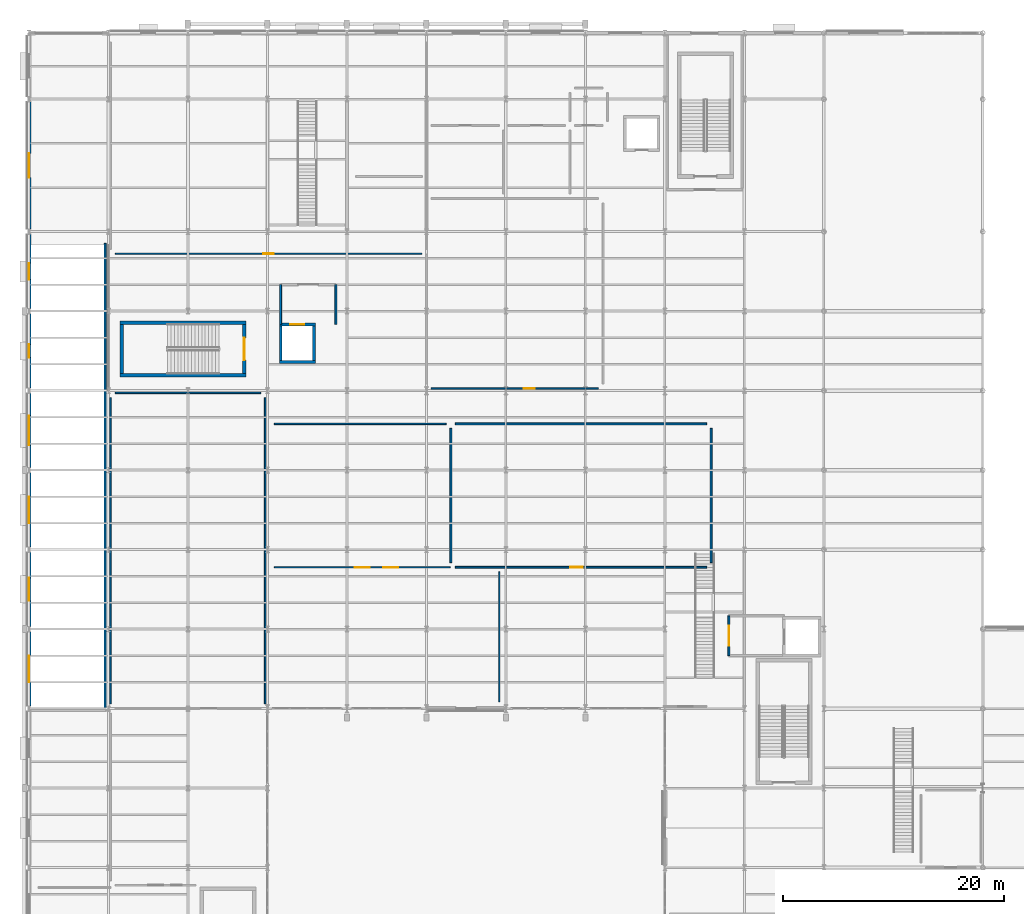
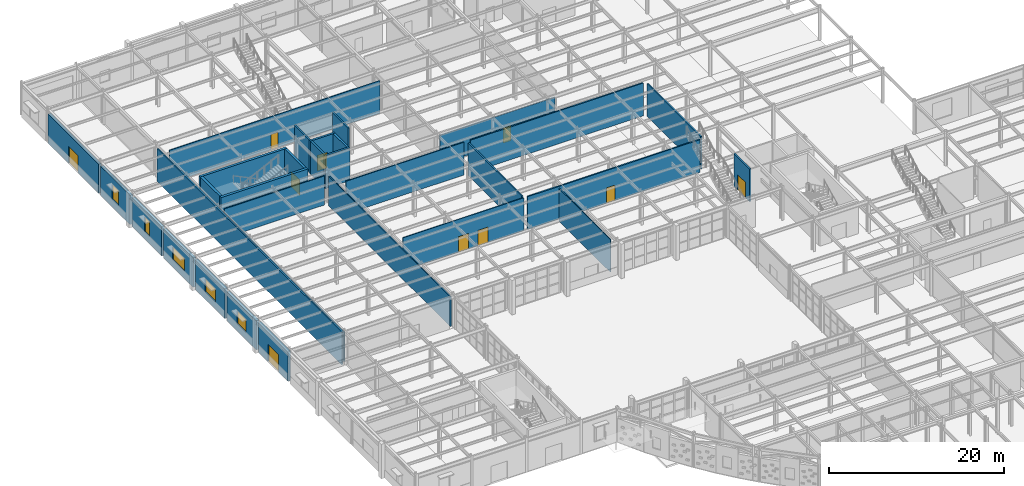
# One storey, part 60 of 83: 31 walls, 10 doors, 5 windows, 15 openings.
"""IFC4 building model written with IfcOpenShell, lengths in metres."""

from ifc_helpers import new_model, si_unit, direction, frame, frame_2d, origin, place, context, subcontext, project, spatial, rectangle, extrude, material, layer, layer_set, type_object, element, fill, save


model = new_model("IFC4")

# Units and contexts
model_context = context("Model", 3, precision=1e-05, world=origin(), true_north=direction((0.0, 1.0)))
body_context = subcontext(model_context, "Body", "Model", "MODEL_VIEW")
ifc_project = project(units=[si_unit("LENGTHUNIT", "METRE"), si_unit("AREAUNIT", "SQUARE_METRE"), si_unit("VOLUMEUNIT", "CUBIC_METRE"), si_unit("PLANEANGLEUNIT", "RADIAN"), si_unit("MASSUNIT", "GRAM", prefix="KILO")], contexts=[model_context])

# Site, building, storey
site_placement = place(None, origin())
site = spatial("IfcSite", under=ifc_project, at=site_placement, CompositionType="ELEMENT")
building_placement = place(site_placement, origin())
building = spatial("IfcBuilding", under=site, at=building_placement, Name="Solvadek Multi-Sports Hall", CompositionType="ELEMENT")
storey_placement = place(building_placement, origin())
storey = spatial("IfcBuildingStorey", under=building, at=storey_placement, Name="L00", CompositionType="ELEMENT", Elevation=0.0)

# Wall, opening, door
ifc_material_1 = material(Name="Fired Deccan terracotta brick masonry", Category="masonry")
ifc_layer_1 = layer(ifc_material_1, 0.35009765625, Name="Fired Deccan terracotta brick masonry")
ifc_layer_set_1 = layer_set([ifc_layer_1], Name="Fired Deccan terracotta brick masonry")
wall_type_1 = type_object("IfcWallType", Name="ENV-WAL-EXT350", PredefinedType="SOLIDWALL", material=ifc_layer_set_1)
wall_1_placement = place(storey_placement, frame((0.0, 49.428955078125, 0.0), z_axis=(0.0, 0.0, 1.0), x_axis=(0.0, 1.0, 0.0)))
wall_1 = element("IfcWall", 1, at=wall_1_placement, inside=storey, type_object=wall_type_1, Name="L00 Exterior Masonry Wall #141", PredefinedType="SOLIDWALL", context=body_context, shape_type="SweptSolid", body=[
    extrude(rectangle(XDim=6.741943359375, YDim=0.35009765625, at=frame_2d((3.37109375, 0.0))), origin(), (0.0, 0.0, 1.0), 4.1650390625),
])
opening_1_placement = place(wall_1_placement, frame((2.1708984375, 0.0, 0.0)))
opening_1 = element("IfcOpeningElement", 2, at=opening_1_placement, cuts=wall_1, Name="Opening D-EX02", PredefinedType="OPENING", context=body_context, shape_type="SweptSolid", body=[
    extrude(rectangle(XDim=2.39990234375, YDim=2.39990234375, at=frame_2d((1.199951171875, 1.199951171875))), frame((0.0, 0.18505859375, 0.0), z_axis=(0.0, -1.0, 0.0), x_axis=(1.0, 0.0, 0.0)), (0.0, 0.0, 1.0), 0.3701171875),
])
ifc_material_2 = material(Name="Anodised aluminium", Category="aluminium")
door_type_1 = type_object("IfcDoorType", Name="ENV-DOR-EX240X240", OperationType="DOUBLE_DOOR_SINGLE_SWING", PredefinedType="DOOR", material=ifc_material_2)
door_1_placement = place(opening_1_placement, origin())
door_1 = element("IfcDoor", 3, at=door_1_placement, inside=storey, type_object=door_type_1, Name="West Arcade Final Exit Door D-EX02", OperationType="DOUBLE_DOOR_SINGLE_SWING", OverallHeight=2.39990234375, OverallWidth=2.39990234375, PredefinedType="DOOR", context=body_context, shape_type="SweptSolid", body=[
    extrude(rectangle(XDim=2.39990234375, YDim=2.39990234375, at=frame_2d((1.199951171875, 1.199951171875))), frame((0.0, 0.02490234375, 0.0), z_axis=(0.0, -1.0, 0.0), x_axis=(1.0, 0.0, 0.0)), (0.0, 0.0, 1.0), 0.050048828125),
])
fill(opening_1, door_1)

# Wall, opening, window
wall_2_placement = place(storey_placement, frame((0.0, 56.62890625, 0.0), z_axis=(0.0, 0.0, 1.0), x_axis=(0.0, 1.0, 0.0)))
wall_2 = element("IfcWall", 4, at=wall_2_placement, inside=storey, type_object=wall_type_1, Name="L00 Exterior Masonry Wall #144", PredefinedType="SOLIDWALL", context=body_context, shape_type="SweptSolid", body=[
    extrude(rectangle(XDim=6.7421875, YDim=0.35009765625, at=frame_2d((3.37109375, 0.0))), origin(), (0.0, 0.0, 1.0), 4.06494140625),
])
opening_2_placement = place(wall_2_placement, frame((2.321044921875, 0.0, 1.0)))
opening_2 = element("IfcOpeningElement", 5, at=opening_2_placement, cuts=wall_2, Name="Opening WN-06", PredefinedType="OPENING", context=body_context, shape_type="SweptSolid", body=[
    extrude(rectangle(XDim=2.10009765625, YDim=1.800048828125, at=frame_2d((1.050048828125, 0.89990234375))), frame((0.0, 0.18505859375, 0.0), z_axis=(0.0, -1.0, 0.0), x_axis=(1.0, 0.0, 0.0)), (0.0, 0.0, 1.0), 0.3701171875),
])
ifc_material_3 = material(Name="Tempered laminated low-E glass", Category="glass")
window_type_1 = type_object("IfcWindowType", Name="ENV-WIN-WN-06", PartitioningType="SINGLE_PANEL", PredefinedType="WINDOW", material=ifc_material_3)
window_1_placement = place(opening_2_placement, origin())
window_1 = element("IfcWindow", 6, at=window_1_placement, inside=storey, type_object=window_type_1, Name="L00 Facade Window WN-06 #33", OverallHeight=1.800048828125, OverallWidth=2.10009765625, PartitioningType="SINGLE_PANEL", PredefinedType="WINDOW", context=body_context, shape_type="SweptSolid", body=[
    extrude(rectangle(XDim=2.10009765625, YDim=1.800048828125, at=frame_2d((1.050048828125, 0.89990234375))), frame((0.0, 0.030029296875, 0.0), z_axis=(0.0, -1.0, 0.0), x_axis=(1.0, 0.0, 0.0)), (0.0, 0.0, 1.0), 0.06005859375),
])
fill(opening_2, window_1)

wall_3_placement = place(storey_placement, frame((0.0, 63.8291015625, 0.0), z_axis=(0.0, 0.0, 1.0), x_axis=(0.0, 1.0, 0.0)))
wall_3 = element("IfcWall", 7, at=wall_3_placement, inside=storey, type_object=wall_type_1, Name="L00 Exterior Masonry Wall #147", PredefinedType="SOLIDWALL", context=body_context, shape_type="SweptSolid", body=[
    extrude(rectangle(XDim=6.741943359375, YDim=0.35009765625, at=frame_2d((3.37109375, 0.0))), origin(), (0.0, 0.0, 1.0), 4.1650390625),
])
opening_3_placement = place(wall_3_placement, frame((2.1708984375, 0.0, 1.0)))
opening_3 = element("IfcOpeningElement", 8, at=opening_3_placement, cuts=wall_3, Name="Opening WN-07", PredefinedType="OPENING", context=body_context, shape_type="SweptSolid", body=[
    extrude(rectangle(XDim=2.39990234375, YDim=1.800048828125, at=frame_2d((1.199951171875, 0.89990234375))), frame((0.0, 0.18505859375, 0.0), z_axis=(0.0, -1.0, 0.0), x_axis=(1.0, 0.0, 0.0)), (0.0, 0.0, 1.0), 0.3701171875),
])
window_type_2 = type_object("IfcWindowType", Name="ENV-WIN-WN-07", PartitioningType="SINGLE_PANEL", PredefinedType="WINDOW", material=ifc_material_3)
window_2_placement = place(opening_3_placement, origin())
window_2 = element("IfcWindow", 9, at=window_2_placement, inside=storey, type_object=window_type_2, Name="L00 Facade Window WN-07 #36", OverallHeight=1.800048828125, OverallWidth=2.39990234375, PartitioningType="SINGLE_PANEL", PredefinedType="WINDOW", context=body_context, shape_type="SweptSolid", body=[
    extrude(rectangle(XDim=2.39990234375, YDim=1.800048828125, at=frame_2d((1.199951171875, 0.89990234375))), frame((0.0, 0.030029296875, 0.0), z_axis=(0.0, -1.0, 0.0), x_axis=(1.0, 0.0, 0.0)), (0.0, 0.0, 1.0), 0.06005859375),
])
fill(opening_3, window_2)

wall_4_placement = place(storey_placement, frame((0.0, 71.029052734375, 0.0), z_axis=(0.0, 0.0, 1.0), x_axis=(0.0, 1.0, 0.0)))
wall_4 = element("IfcWall", 10, at=wall_4_placement, inside=storey, type_object=wall_type_1, Name="L00 Exterior Masonry Wall #150", PredefinedType="SOLIDWALL", context=body_context, shape_type="SweptSolid", body=[
    extrude(rectangle(XDim=6.741943359375, YDim=0.35009765625, at=frame_2d((3.37109375, 0.0))), origin(), (0.0, 0.0, 1.0), 4.06494140625),
])
opening_4_placement = place(wall_4_placement, frame((2.02099609375, 0.0, 1.0)))
opening_4 = element("IfcOpeningElement", 11, at=opening_4_placement, cuts=wall_4, Name="Opening WN-08", PredefinedType="OPENING", context=body_context, shape_type="SweptSolid", body=[
    extrude(rectangle(XDim=2.699951171875, YDim=1.800048828125, at=frame_2d((1.35009765625, 0.89990234375))), frame((0.0, 0.18505859375, 0.0), z_axis=(0.0, -1.0, 0.0), x_axis=(1.0, 0.0, 0.0)), (0.0, 0.0, 1.0), 0.3701171875),
])
window_type_3 = type_object("IfcWindowType", Name="ENV-WIN-WN-08", PartitioningType="SINGLE_PANEL", PredefinedType="WINDOW", material=ifc_material_3)
window_3_placement = place(opening_4_placement, origin())
window_3 = element("IfcWindow", 12, at=window_3_placement, inside=storey, type_object=window_type_3, Name="L00 Facade Window WN-08 #39", OverallHeight=1.800048828125, OverallWidth=2.699951171875, PartitioningType="SINGLE_PANEL", PredefinedType="WINDOW", context=body_context, shape_type="SweptSolid", body=[
    extrude(rectangle(XDim=2.699951171875, YDim=1.800048828125, at=frame_2d((1.35009765625, 0.89990234375))), frame((0.0, 0.030029296875, 0.0), z_axis=(0.0, -1.0, 0.0), x_axis=(1.0, 0.0, 0.0)), (0.0, 0.0, 1.0), 0.06005859375),
])
fill(opening_4, window_3)

wall_5_placement = place(storey_placement, frame((0.0, 78.22900390625, 0.0), z_axis=(0.0, 0.0, 1.0), x_axis=(0.0, 1.0, 0.0)))
wall_5 = element("IfcWall", 13, at=wall_5_placement, inside=storey, type_object=wall_type_1, Name="L00 Exterior Masonry Wall #153", PredefinedType="SOLIDWALL", context=body_context, shape_type="SweptSolid", body=[
    extrude(rectangle(XDim=6.741943359375, YDim=0.35009765625, at=frame_2d((3.37109375, 0.0))), origin(), (0.0, 0.0, 1.0), 4.06494140625),
])
opening_5_placement = place(wall_5_placement, frame((2.77099609375, 0.0, 1.0)))
opening_5 = element("IfcOpeningElement", 14, at=opening_5_placement, cuts=wall_5, Name="Opening WN-09", PredefinedType="OPENING", context=body_context, shape_type="SweptSolid", body=[
    extrude(rectangle(XDim=1.199951171875, YDim=2.10009765625, at=frame_2d((0.60009765625, 1.050048828125))), frame((0.0, 0.18505859375, 0.0), z_axis=(0.0, -1.0, 0.0), x_axis=(1.0, 0.0, 0.0)), (0.0, 0.0, 1.0), 0.3701171875),
])
window_type_4 = type_object("IfcWindowType", Name="ENV-WIN-WN-09", PartitioningType="SINGLE_PANEL", PredefinedType="WINDOW", material=ifc_material_3)
window_4_placement = place(opening_5_placement, origin())
window_4 = element("IfcWindow", 15, at=window_4_placement, inside=storey, type_object=window_type_4, Name="L00 Facade Window WN-09 #42", OverallHeight=2.10009765625, OverallWidth=1.199951171875, PartitioningType="SINGLE_PANEL", PredefinedType="WINDOW", context=body_context, shape_type="SweptSolid", body=[
    extrude(rectangle(XDim=1.199951171875, YDim=2.10009765625, at=frame_2d((0.60009765625, 1.050048828125))), frame((0.0, 0.030029296875, 0.0), z_axis=(0.0, -1.0, 0.0), x_axis=(1.0, 0.0, 0.0)), (0.0, 0.0, 1.0), 0.06005859375),
])
fill(opening_5, window_4)

wall_6_placement = place(storey_placement, frame((0.0, 85.428955078125, 0.0), z_axis=(0.0, 0.0, 1.0), x_axis=(0.0, 1.0, 0.0)))
wall_6 = element("IfcWall", 16, at=wall_6_placement, inside=storey, type_object=wall_type_1, Name="L00 Exterior Masonry Wall #156", PredefinedType="SOLIDWALL", context=body_context, shape_type="SweptSolid", body=[
    extrude(rectangle(XDim=6.741943359375, YDim=0.35009765625, at=frame_2d((3.37109375, 0.0))), origin(), (0.0, 0.0, 1.0), 4.06494140625),
])
opening_6_placement = place(wall_6_placement, frame((2.62109375, 0.0, 1.0)))
opening_6 = element("IfcOpeningElement", 17, at=opening_6_placement, cuts=wall_6, Name="Opening WN-10", PredefinedType="OPENING", context=body_context, shape_type="SweptSolid", body=[
    extrude(rectangle(XDim=1.5, YDim=2.10009765625, at=frame_2d((0.75, 1.050048828125))), frame((0.0, 0.18505859375, 0.0), z_axis=(0.0, -1.0, 0.0), x_axis=(1.0, 0.0, 0.0)), (0.0, 0.0, 1.0), 0.3701171875),
])
window_type_5 = type_object("IfcWindowType", Name="ENV-WIN-WN-10", PartitioningType="SINGLE_PANEL", PredefinedType="WINDOW", material=ifc_material_3)
window_5_placement = place(opening_6_placement, origin())
window_5 = element("IfcWindow", 18, at=window_5_placement, inside=storey, type_object=window_type_5, Name="L00 Facade Window WN-10 #45", OverallHeight=2.10009765625, OverallWidth=1.5, PartitioningType="SINGLE_PANEL", PredefinedType="WINDOW", context=body_context, shape_type="SweptSolid", body=[
    extrude(rectangle(XDim=1.5, YDim=2.10009765625, at=frame_2d((0.75, 1.050048828125))), frame((0.0, 0.030029296875, 0.0), z_axis=(0.0, -1.0, 0.0), x_axis=(1.0, 0.0, 0.0)), (0.0, 0.0, 1.0), 0.06005859375),
])
fill(opening_6, window_5)

# Wall, opening, door
wall_7_placement = place(storey_placement, frame((0.0, 92.62890625, 0.0), z_axis=(0.0, 0.0, 1.0), x_axis=(0.0, 1.0, 0.0)))
wall_7 = element("IfcWall", 19, at=wall_7_placement, inside=storey, type_object=wall_type_1, Name="L00 Exterior Masonry Wall #159", PredefinedType="SOLIDWALL", context=body_context, shape_type="SweptSolid", body=[
    extrude(rectangle(XDim=11.5419921875, YDim=0.35009765625, at=frame_2d((5.77099609375, 0.0))), origin(), (0.0, 0.0, 1.0), 4.06494140625),
])
opening_7_placement = place(wall_7_placement, frame((4.6708984375, 0.0, 0.0)))
opening_7 = element("IfcOpeningElement", 20, at=opening_7_placement, cuts=wall_7, Name="Opening D-EX03", PredefinedType="OPENING", context=body_context, shape_type="SweptSolid", body=[
    extrude(rectangle(XDim=2.199951171875, YDim=2.39990234375, at=frame_2d((1.10009765625, 1.199951171875))), frame((0.0, 0.18505859375, 0.0), z_axis=(0.0, -1.0, 0.0), x_axis=(1.0, 0.0, 0.0)), (0.0, 0.0, 1.0), 0.3701171875),
])
door_type_2 = type_object("IfcDoorType", Name="ENV-DOR-EX220X240", OperationType="DOUBLE_DOOR_SINGLE_SWING", PredefinedType="DOOR", material=ifc_material_2)
door_2_placement = place(opening_7_placement, origin())
door_2 = element("IfcDoor", 21, at=door_2_placement, inside=storey, type_object=door_type_2, Name="Stair ST-02 Final Exit Door D-EX03", OperationType="DOUBLE_DOOR_SINGLE_SWING", OverallHeight=2.39990234375, OverallWidth=2.199951171875, PredefinedType="DOOR", context=body_context, shape_type="SweptSolid", body=[
    extrude(rectangle(XDim=2.199951171875, YDim=2.39990234375, at=frame_2d((1.10009765625, 1.199951171875))), frame((0.0, 0.02490234375, 0.0), z_axis=(0.0, -1.0, 0.0), x_axis=(1.0, 0.0, 0.0)), (0.0, 0.0, 1.0), 0.050048828125),
])
fill(opening_7, door_2)

# Wall, openings, doors
ifc_material_4 = material(Name="Autoclaved aerated concrete blockwork", Category="masonry")
ifc_layer_2 = layer(ifc_material_4, 0.10498046875, Name="Autoclaved aerated concrete blockwork")
ifc_layer_set_2 = layer_set([ifc_layer_2], Name="Autoclaved aerated concrete blockwork")
wall_type_2 = type_object("IfcWallType", Name="INT-WAL-PRT105", PredefinedType="PARTITIONING", material=ifc_layer_set_2)
wall_8_placement = place(storey_placement, frame((22.219970703125, 62.0, 0.0), z_axis=(0.0, 0.0, 1.0), x_axis=(1.0, 0.0, 0.0)))
wall_8 = element("IfcWall", 22, at=wall_8_placement, inside=storey, type_object=wall_type_2, Name="L00 Partition Wall L00-16 N", PredefinedType="PARTITIONING", context=body_context, shape_type="SweptSolid", body=[
    extrude(rectangle(XDim=15.92529296875, YDim=0.10498046875, at=frame_2d((7.962646484375, 0.0))), origin(), (0.0, 0.0, 1.0), 4.56494140625),
])
opening_8_placement = place(wall_8_placement, frame((7.28759765625, 0.0, 0.0)))
opening_8 = element("IfcOpeningElement", 23, at=opening_8_placement, cuts=wall_8, Name="Opening D-03", PredefinedType="OPENING", context=body_context, shape_type="SweptSolid", body=[
    extrude(rectangle(XDim=1.35009765625, YDim=2.14990234375, at=frame_2d((0.675048828125, 1.074951171875))), frame((0.0, 0.0625, 0.0), z_axis=(0.0, -1.0, 0.0), x_axis=(1.0, 0.0, 0.0)), (0.0, 0.0, 1.0), 0.125),
])
opening_9_placement = place(wall_8_placement, frame((9.8876953125, 0.0, 0.0)))
opening_9 = element("IfcOpeningElement", 24, at=opening_9_placement, cuts=wall_8, Name="Opening D-03", PredefinedType="OPENING", context=body_context, shape_type="SweptSolid", body=[
    extrude(rectangle(XDim=1.35009765625, YDim=2.14990234375, at=frame_2d((0.675048828125, 1.074951171875))), frame((0.0, 0.0625, 0.0), z_axis=(0.0, -1.0, 0.0), x_axis=(1.0, 0.0, 0.0)), (0.0, 0.0, 1.0), 0.125),
])
ifc_material_5 = material(Name="Teak hardwood timber", Category="wood")
door_type_3 = type_object("IfcDoorType", Name="INT-DOR-CHG135X215", OperationType="NOTDEFINED", PredefinedType="DOOR", material=ifc_material_5)
door_3_placement = place(opening_8_placement, frame((1.35009765625, 0.0, 0.0), z_axis=(0.0, 0.0, 1.0), x_axis=(-1.0, 0.0, 0.0)))
door_3 = element("IfcDoor", 25, at=door_3_placement, inside=storey, type_object=door_type_3, Name="L00 L00-16 Door #31", OperationType="SINGLE_SWING_RIGHT", OverallHeight=2.14990234375, OverallWidth=1.35009765625, PredefinedType="DOOR", context=body_context, shape_type="SweptSolid", body=[
    extrude(rectangle(XDim=1.35009765625, YDim=2.14990234375, at=frame_2d((0.675048828125, 1.074951171875))), frame((0.0, 0.02490234375, 0.0), z_axis=(0.0, -1.0, 0.0), x_axis=(1.0, 0.0, 0.0)), (0.0, 0.0, 1.0), 0.050048828125),
])
fill(opening_8, door_3)
door_4_placement = place(opening_9_placement, origin())
door_4 = element("IfcDoor", 26, at=door_4_placement, inside=storey, type_object=door_type_3, Name="L00 L00-18 Door #33", OperationType="SINGLE_SWING_RIGHT", OverallHeight=2.14990234375, OverallWidth=1.35009765625, PredefinedType="DOOR", context=body_context, shape_type="SweptSolid", body=[
    extrude(rectangle(XDim=1.35009765625, YDim=2.14990234375, at=frame_2d((0.675048828125, 1.074951171875))), frame((0.0, 0.02490234375, 0.0), z_axis=(0.0, -1.0, 0.0), x_axis=(1.0, 0.0, 0.0)), (0.0, 0.0, 1.0), 0.050048828125),
])
fill(opening_9, door_4)

# Wall
wall_9_placement = place(storey_placement, frame((42.60009765625, 49.820068359375, 0.0), z_axis=(0.0, 0.0, 1.0), x_axis=(0.0, 1.0, 0.0)))
element("IfcWall", 27, at=wall_9_placement, inside=storey, type_object=wall_type_2, Name="L00 Partition Wall L00-16 E", PredefinedType="PARTITIONING", context=body_context, shape_type="SweptSolid", body=[
    extrude(rectangle(XDim=11.760009765625, YDim=0.10498046875, at=frame_2d((5.8798828125, 0.0))), origin(), (0.0, 0.0, 1.0), 4.56494140625),
])

# Wall, opening, door
wall_10_placement = place(storey_placement, frame((7.820068359375, 90.39990234375, 0.0), z_axis=(0.0, 0.0, 1.0), x_axis=(1.0, 0.0, 0.0)))
wall_10 = element("IfcWall", 28, at=wall_10_placement, inside=storey, type_object=wall_type_2, Name="L00 Partition Wall L00-23 S", PredefinedType="PARTITIONING", context=body_context, shape_type="SweptSolid", body=[
    extrude(rectangle(XDim=27.760009765625, YDim=0.10498046875, at=frame_2d((13.8798828125, 0.0))), origin(), (0.0, 0.0, 1.0), 4.56494140625),
])
opening_10_placement = place(wall_10_placement, frame((13.405029296875, 0.0, 0.0)))
opening_10 = element("IfcOpeningElement", 29, at=opening_10_placement, cuts=wall_10, Name="Opening D-02", PredefinedType="OPENING", context=body_context, shape_type="SweptSolid", body=[
    extrude(rectangle(XDim=0.949951171875, YDim=2.10009765625, at=frame_2d((0.47509765625, 1.050048828125))), frame((0.0, 0.0625, 0.0), z_axis=(0.0, -1.0, 0.0), x_axis=(1.0, 0.0, 0.0)), (0.0, 0.0, 1.0), 0.125),
])
door_type_4 = type_object("IfcDoorType", Name="INT-DOR-RM095X210", OperationType="NOTDEFINED", PredefinedType="DOOR", material=ifc_material_5)
door_5_placement = place(opening_10_placement, origin())
door_5 = element("IfcDoor", 30, at=door_5_placement, inside=storey, type_object=door_type_4, Name="L00 L00-23 Door #37", OperationType="SINGLE_SWING_RIGHT", OverallHeight=2.10009765625, OverallWidth=0.949951171875, PredefinedType="DOOR", context=body_context, shape_type="SweptSolid", body=[
    extrude(rectangle(XDim=0.949951171875, YDim=2.10009765625, at=frame_2d((0.47509765625, 1.050048828125))), frame((0.0, 0.02490234375, 0.0), z_axis=(0.0, -1.0, 0.0), x_axis=(1.0, 0.0, 0.0)), (0.0, 0.0, 1.0), 0.050048828125),
])
fill(opening_10, door_5)

# Walls
ifc_layer_3 = layer(ifc_material_4, 0.135009765625, Name="Autoclaved aerated concrete blockwork")
ifc_layer_set_3 = layer_set([ifc_layer_3], Name="Autoclaved aerated concrete blockwork")
wall_type_3 = type_object("IfcWallType", Name="INT-WAL-PRT135", PredefinedType="PARTITIONING", material=ifc_layer_set_3)
wall_11_placement = place(storey_placement, frame((7.820068359375, 77.800048828125, 0.0), z_axis=(0.0, 0.0, 1.0), x_axis=(1.0, 0.0, 0.0)))
element("IfcWall", 31, at=wall_11_placement, inside=storey, type_object=wall_type_3, Name="L00 Partition Wall L00-15 N", PredefinedType="PARTITIONING", context=body_context, shape_type="SweptSolid", body=[
    extrude(rectangle(XDim=13.159912109375, YDim=0.135009765625, at=frame_2d((6.580078125, 0.0))), origin(), (0.0, 0.0, 1.0), 4.06005859375),
])
for number, where, z_axis, x_axis, name in (
    (32, (7.39990234375, 49.625, 0.0), (0.0, 0.0, 1.0), (0.0, 1.0, 0.0), "L00 Partition Wall L00-15 W"),
    (33, (21.39990234375, 49.625, 0.0), (0.0, 0.0, 1.0), (0.0, 1.0, 0.0), "L00 Partition Wall L00-15 E"),
):
    element("IfcWall", number, at=place(storey_placement, frame(where, z_axis=z_axis, x_axis=x_axis)), inside=storey, type_object=wall_type_3, Name=name, PredefinedType="PARTITIONING", context=body_context, shape_type="SweptSolid", body=[
        extrude(rectangle(XDim=27.7548828125, YDim=0.135009765625, at=frame_2d((13.87744140625, 0.0))), origin(), (0.0, 0.0, 1.0), 4.110107421875),
    ])
wall_12_placement = place(storey_placement, frame((22.219970703125, 75.0, 0.0), z_axis=(0.0, 0.0, 1.0), x_axis=(1.0, 0.0, 0.0)))
element("IfcWall", 34, at=wall_12_placement, inside=storey, type_object=wall_type_3, Name="L00 Partition Wall L00-18 N", PredefinedType="PARTITIONING", context=body_context, shape_type="SweptSolid", body=[
    extrude(rectangle(XDim=15.56005859375, YDim=0.135009765625, at=frame_2d((7.780029296875, 0.0))), origin(), (0.0, 0.0, 1.0), 4.56494140625),
])

# Wall, opening, door
wall_13_placement = place(storey_placement, frame((36.419921875, 78.199951171875, 0.0), z_axis=(0.0, 0.0, 1.0), x_axis=(1.0, 0.0, 0.0)))
wall_13 = element("IfcWall", 35, at=wall_13_placement, inside=storey, type_object=wall_type_3, Name="L00 Partition Wall L00-24 S", PredefinedType="PARTITIONING", context=body_context, shape_type="SweptSolid", body=[
    extrude(rectangle(XDim=15.16015625, YDim=0.135009765625, at=frame_2d((7.580078125, 0.0))), origin(), (0.0, 0.0, 1.0), 4.06005859375),
])
opening_11_placement = place(wall_13_placement, frame((8.3798828125, 0.0, 0.0)))
opening_11 = element("IfcOpeningElement", 36, at=opening_11_placement, cuts=wall_13, Name="Opening D-01", PredefinedType="OPENING", context=body_context, shape_type="SweptSolid", body=[
    extrude(rectangle(XDim=1.0, YDim=2.10009765625, at=frame_2d((0.5, 1.050048828125))), frame((0.0, 0.077392578125, 0.0), z_axis=(0.0, -1.0, 0.0), x_axis=(1.0, 0.0, 0.0)), (0.0, 0.0, 1.0), 0.155029296875),
])
door_type_5 = type_object("IfcDoorType", Name="INT-DOR-RM100X210", OperationType="NOTDEFINED", PredefinedType="DOOR", material=ifc_material_5)
door_6_placement = place(opening_11_placement, origin())
door_6 = element("IfcDoor", 37, at=door_6_placement, inside=storey, type_object=door_type_5, Name="L00 L00-24 Door #38", OperationType="SINGLE_SWING_LEFT", OverallHeight=2.10009765625, OverallWidth=1.0, PredefinedType="DOOR", context=body_context, shape_type="SweptSolid", body=[
    extrude(rectangle(XDim=1.0, YDim=2.10009765625, at=frame_2d((0.5, 1.050048828125))), frame((0.0, 0.02490234375, 0.0), z_axis=(0.0, -1.0, 0.0), x_axis=(1.0, 0.0, 0.0)), (0.0, 0.0, 1.0), 0.050048828125),
])
fill(opening_11, door_6)

# Walls
ifc_layer_4 = layer(ifc_material_4, 0.179931640625, Name="Autoclaved aerated concrete blockwork")
ifc_layer_set_4 = layer_set([ifc_layer_4], Name="Autoclaved aerated concrete blockwork")
wall_type_4 = type_object("IfcWallType", Name="INT-WAL-PRT180", PredefinedType="PARTITIONING", material=ifc_layer_set_4)
for number, where, z_axis, x_axis, name in (
    (38, (22.800048828125, 84.0, 0.0), (0.0, 0.0, 1.0), (0.0, 1.0, 0.0), "L00 Firefighting Lobby LF-01 Rated Wall W"),
    (39, (27.800048828125, 84.0, 0.0), (0.0, 0.0, 1.0), (0.0, 1.0, 0.0), "L00 Firefighting Lobby LF-01 Rated Wall E"),
):
    element("IfcWall", number, at=place(storey_placement, frame(where, z_axis=z_axis, x_axis=x_axis)), inside=storey, type_object=wall_type_4, Name=name, PredefinedType="PARTITIONING", context=body_context, shape_type="SweptSolid", body=[
        extrude(rectangle(XDim=3.60009765625, YDim=0.179931640625, at=frame_2d((1.800048828125, 0.0))), origin(), (0.0, 0.0, 1.0), 4.56494140625),
    ])

# Wall, opening, door
wall_14_placement = place(storey_placement, frame((63.39990234375, 54.0, 0.0), z_axis=(0.0, 0.0, 1.0), x_axis=(0.0, 1.0, 0.0)))
wall_14 = element("IfcWall", 40, at=wall_14_placement, inside=storey, type_object=wall_type_4, Name="L00 Firefighting Lobby LF-02 Rated Wall W", PredefinedType="PARTITIONING", context=body_context, shape_type="SweptSolid", body=[
    extrude(rectangle(XDim=3.60009765625, YDim=0.179931640625, at=frame_2d((1.800048828125, 0.0))), origin(), (0.0, 0.0, 1.0), 4.56494140625),
])
opening_12_placement = place(wall_14_placement, frame((0.89990234375, 0.0, 0.0)))
opening_12 = element("IfcOpeningElement", 41, at=opening_12_placement, cuts=wall_14, Name="Opening FD120B", PredefinedType="OPENING", context=body_context, shape_type="SweptSolid", body=[
    extrude(rectangle(XDim=1.800048828125, YDim=2.14990234375, at=frame_2d((0.89990234375, 1.074951171875))), frame((0.0, 0.099853515625, 0.0), z_axis=(0.0, -1.0, 0.0), x_axis=(1.0, 0.0, 0.0)), (0.0, 0.0, 1.0), 0.199951171875),
])
ifc_material_6 = material(Name="Steel E250 (250 MPa)", Category="steel")
door_type_6 = type_object("IfcDoorType", Name="INT-DOR-FD180X215", OperationType="DOUBLE_DOOR_SINGLE_SWING", PredefinedType="DOOR", material=ifc_material_6)
door_7_placement = place(opening_12_placement, origin())
door_7 = element("IfcDoor", 42, at=door_7_placement, inside=storey, type_object=door_type_6, Name="L00 Firefighting Lobby LF-02 Fire Door", OperationType="DOUBLE_DOOR_SINGLE_SWING", OverallHeight=2.14990234375, OverallWidth=1.800048828125, PredefinedType="DOOR", context=body_context, shape_type="SweptSolid", body=[
    extrude(rectangle(XDim=1.800048828125, YDim=2.14990234375, at=frame_2d((0.89990234375, 1.074951171875))), frame((0.0, 0.02490234375, 0.0), z_axis=(0.0, -1.0, 0.0), x_axis=(1.0, 0.0, 0.0)), (0.0, 0.0, 1.0), 0.050048828125),
])
fill(opening_12, door_7)

# Wall
wall_15_placement = place(storey_placement, frame((6.889892578125, 49.199951171875, 0.0), z_axis=(0.0, 0.0, 1.0), x_axis=(0.0, 1.0, 0.0)))
element("IfcWall", 43, at=wall_15_placement, inside=storey, type_object=wall_type_4, Name="L00 Vehicle Ramp VR-01 Enclosure Wall E", PredefinedType="PARTITIONING", context=body_context, shape_type="SweptSolid", body=[
    extrude(rectangle(XDim=42.150146484375, YDim=0.179931640625, at=frame_2d((21.0751953125, 0.0))), origin(), (0.0, 0.0, 1.0), 4.56494140625),
])

# Wall, opening, door
wall_16_placement = place(storey_placement, frame((38.625, 62.00439453125, 0.0), z_axis=(0.0, 0.0, 1.0), x_axis=(1.0, 0.0, 0.0)))
wall_16 = element("IfcWall", 44, at=wall_16_placement, inside=storey, type_object=wall_type_4, Name="L00 Partition Wall L00-19 S", PredefinedType="PARTITIONING", context=body_context, shape_type="SweptSolid", body=[
    extrude(rectangle(XDim=22.75, YDim=0.179931640625, at=frame_2d((11.375, 0.0))), origin(), (0.0, 0.0, 1.0), 4.56494140625),
])
opening_13_placement = place(wall_16_placement, frame((10.425048828125, 0.0, 0.0)))
opening_13 = element("IfcOpeningElement", 45, at=opening_13_placement, cuts=wall_16, Name="Opening FD60", PredefinedType="OPENING", context=body_context, shape_type="SweptSolid", body=[
    extrude(rectangle(XDim=1.10009765625, YDim=2.14990234375, at=frame_2d((0.550048828125, 1.074951171875))), frame((0.0, 0.099853515625, 0.0), z_axis=(0.0, -1.0, 0.0), x_axis=(1.0, 0.0, 0.0)), (0.0, 0.0, 1.0), 0.199951171875),
])
door_type_7 = type_object("IfcDoorType", Name="INT-DOR-FD110X215", OperationType="NOTDEFINED", PredefinedType="DOOR", material=ifc_material_6)
door_8_placement = place(opening_13_placement, origin())
door_8 = element("IfcDoor", 46, at=door_8_placement, inside=storey, type_object=door_type_7, Name="L00 L00-19 Door #34", OperationType="SINGLE_SWING_LEFT", OverallHeight=2.14990234375, OverallWidth=1.10009765625, PredefinedType="DOOR", context=body_context, shape_type="SweptSolid", body=[
    extrude(rectangle(XDim=1.10009765625, YDim=2.14990234375, at=frame_2d((0.550048828125, 1.074951171875))), frame((0.0, 0.02490234375, 0.0), z_axis=(0.0, -1.0, 0.0), x_axis=(1.0, 0.0, 0.0)), (0.0, 0.0, 1.0), 0.050048828125),
])
fill(opening_13, door_8)

# Walls
wall_17_placement = place(storey_placement, frame((38.625, 75.0, 0.0), z_axis=(0.0, 0.0, 1.0), x_axis=(1.0, 0.0, 0.0)))
element("IfcWall", 47, at=wall_17_placement, inside=storey, type_object=wall_type_4, Name="L00 Partition Wall L00-19 N", PredefinedType="PARTITIONING", context=body_context, shape_type="SweptSolid", body=[
    extrude(rectangle(XDim=22.75, YDim=0.179931640625, at=frame_2d((11.375, 0.0))), origin(), (0.0, 0.0, 1.0), 4.56494140625),
])
for number, where, z_axis, x_axis, name in (
    (48, (38.205078125, 62.42431640625, 0.0), (0.0, 0.0, 1.0), (0.0, 1.0, 0.0), "L00 Partition Wall L00-19 W"),
    (49, (61.794921875, 62.42431640625, 0.0), (0.0, 0.0, 1.0), (0.0, 1.0, 0.0), "L00 Partition Wall L00-19 E"),
):
    element("IfcWall", number, at=place(storey_placement, frame(where, z_axis=z_axis, x_axis=x_axis)), inside=storey, type_object=wall_type_4, Name=name, PredefinedType="PARTITIONING", context=body_context, shape_type="SweptSolid", body=[
        extrude(rectangle(XDim=12.15576171875, YDim=0.179931640625, at=frame_2d((6.077880859375, 0.0))), origin(), (0.0, 0.0, 1.0), 4.56494140625),
    ])
ifc_material_7 = material(Name="Concrete M40", Category="concrete")
ifc_layer_5 = layer(ifc_material_7, 0.260009765625, Name="Concrete M40")
ifc_layer_set_5 = layer_set([ifc_layer_5], Name="Concrete M40")
wall_type_5 = type_object("IfcWallType", Name="INT-WAL-SHR260", PredefinedType="SHEAR", material=ifc_layer_set_5)
wall_18_placement = place(storey_placement, frame((22.669921875, 80.60009765625, 0.0), z_axis=(0.0, 0.0, 1.0), x_axis=(1.0, 0.0, 0.0)))
element("IfcWall", 50, at=wall_18_placement, inside=storey, type_object=wall_type_5, Name="Lift LF-01 Shaft Shear Wall L00 south", PredefinedType="SHEAR", context=body_context, shape_type="SweptSolid", body=[
    extrude(rectangle(XDim=3.260009765625, YDim=0.260009765625, at=frame_2d((1.6298828125, 0.0))), origin(), (0.0, 0.0, 1.0), 4.580078125),
])

# Wall, opening, door
wall_19_placement = place(storey_placement, frame((22.669921875, 84.0, 0.0), z_axis=(0.0, 0.0, 1.0), x_axis=(1.0, 0.0, 0.0)))
wall_19 = element("IfcWall", 51, at=wall_19_placement, inside=storey, type_object=wall_type_5, Name="Lift LF-01 Shaft Shear Wall L00 north", PredefinedType="SHEAR", context=body_context, shape_type="SweptSolid", body=[
    extrude(rectangle(XDim=3.260009765625, YDim=0.260009765625, at=frame_2d((1.6298828125, 0.0))), origin(), (0.0, 0.0, 1.0), 4.580078125),
])
opening_14_placement = place(wall_19_placement, frame((0.97998046875, 0.0, 0.0)))
opening_14 = element("IfcOpeningElement", 52, at=opening_14_placement, cuts=wall_19, Name="Opening LD-02", PredefinedType="OPENING", context=body_context, shape_type="SweptSolid", body=[
    extrude(rectangle(XDim=1.300048828125, YDim=2.199951171875, at=frame_2d((0.64990234375, 1.10009765625))), frame((0.0, 0.139892578125, 0.0), z_axis=(0.0, -1.0, 0.0), x_axis=(1.0, 0.0, 0.0)), (0.0, 0.0, 1.0), 0.280029296875),
])
door_type_8 = type_object("IfcDoorType", Name="INT-DOR-LD130X220", OperationType="DOUBLE_DOOR_SLIDING", PredefinedType="DOOR", material=ifc_material_2)
door_9_placement = place(opening_14_placement, origin())
door_9 = element("IfcDoor", 53, at=door_9_placement, inside=storey, type_object=door_type_8, Name="L00 Lift LF-01 Sliding Landing Door LD-02", OperationType="DOUBLE_DOOR_SLIDING", OverallHeight=2.199951171875, OverallWidth=1.300048828125, PredefinedType="DOOR", context=body_context, shape_type="SweptSolid", body=[
    extrude(rectangle(XDim=1.300048828125, YDim=2.199951171875, at=frame_2d((0.64990234375, 1.10009765625))), frame((0.0, 0.02490234375, 0.0), z_axis=(0.0, -1.0, 0.0), x_axis=(1.0, 0.0, 0.0)), (0.0, 0.0, 1.0), 0.050048828125),
])
fill(opening_14, door_9)

# Walls
for number, where, z_axis, x_axis, name in (
    (54, (22.800048828125, 80.72998046875, 0.0), (0.0, 0.0, 1.0), (0.0, 1.0, 0.0), "Lift LF-01 Shaft Shear Wall L00 west"),
    (55, (25.800048828125, 80.72998046875, 0.0), (0.0, 0.0, 1.0), (0.0, 1.0, 0.0), "Lift LF-01 Shaft Shear Wall L00 east"),
):
    element("IfcWall", number, at=place(storey_placement, frame(where, z_axis=z_axis, x_axis=x_axis)), inside=storey, type_object=wall_type_5, Name=name, PredefinedType="SHEAR", context=body_context, shape_type="SweptSolid", body=[
        extrude(rectangle(XDim=3.14013671875, YDim=0.260009765625, at=frame_2d((1.570068359375, 0.0))), origin(), (0.0, 0.0, 1.0), 4.580078125),
    ])
ifc_layer_6 = layer(ifc_material_7, 0.320068359375, Name="Concrete M40")
ifc_layer_set_6 = layer_set([ifc_layer_6], Name="Concrete M40")
wall_type_6 = type_object("IfcWallType", Name="INT-WAL-SHR320", PredefinedType="SHEAR", material=ifc_layer_set_6)
for number, where, z_axis, x_axis, name in (
    (56, (8.239990234375, 79.39990234375, 0.0), (0.0, 0.0, 1.0), (1.0, 0.0, 0.0), "L00 Stair ST-02 Shear Wall S"),
    (57, (8.239990234375, 84.14990234375, 0.0), (0.0, 0.0, 1.0), (1.0, 0.0, 0.0), "L00 Stair ST-02 Shear Wall N"),
):
    element("IfcWall", number, at=place(storey_placement, frame(where, z_axis=z_axis, x_axis=x_axis)), inside=storey, type_object=wall_type_6, Name=name, PredefinedType="SHEAR", context=body_context, shape_type="SweptSolid", body=[
        extrude(rectangle(XDim=11.419921875, YDim=0.320068359375, at=frame_2d((5.7099609375, 0.0))), origin(), (0.0, 0.0, 1.0), 4.580078125),
    ])
wall_20_placement = place(storey_placement, frame((8.39990234375, 79.56005859375, 0.0), z_axis=(0.0, 0.0, 1.0), x_axis=(0.0, 1.0, 0.0)))
element("IfcWall", 58, at=wall_20_placement, inside=storey, type_object=wall_type_6, Name="L00 Stair ST-02 Shear Wall W", PredefinedType="SHEAR", context=body_context, shape_type="SweptSolid", body=[
    extrude(rectangle(XDim=4.429931640625, YDim=0.320068359375, at=frame_2d((2.21484375, 0.0))), origin(), (0.0, 0.0, 1.0), 4.580078125),
])

# Wall, opening, door
wall_21_placement = place(storey_placement, frame((19.5, 79.56005859375, 0.0), z_axis=(0.0, 0.0, 1.0), x_axis=(0.0, 1.0, 0.0)))
wall_21 = element("IfcWall", 59, at=wall_21_placement, inside=storey, type_object=wall_type_6, Name="L00 Stair ST-02 Shear Wall E", PredefinedType="SHEAR", context=body_context, shape_type="SweptSolid", body=[
    extrude(rectangle(XDim=4.429931640625, YDim=0.320068359375, at=frame_2d((2.21484375, 0.0))), origin(), (0.0, 0.0, 1.0), 4.580078125),
])
opening_15_placement = place(wall_21_placement, frame((1.215087890625, 0.0, 0.0)))
opening_15 = element("IfcOpeningElement", 60, at=opening_15_placement, cuts=wall_21, Name="Opening FD120", PredefinedType="OPENING", context=body_context, shape_type="SweptSolid", body=[
    extrude(rectangle(XDim=2.0, YDim=2.14990234375, at=frame_2d((1.0, 1.074951171875))), frame((0.0, 0.169921875, 0.0), z_axis=(0.0, -1.0, 0.0), x_axis=(1.0, 0.0, 0.0)), (0.0, 0.0, 1.0), 0.340087890625),
])
door_type_9 = type_object("IfcDoorType", Name="INT-DOR-FD200X215", OperationType="DOUBLE_DOOR_SINGLE_SWING", PredefinedType="DOOR", material=ifc_material_6)
door_10_placement = place(opening_15_placement, origin())
door_10 = element("IfcDoor", 61, at=door_10_placement, inside=storey, type_object=door_type_9, Name="L00 Stair ST-02 Fire Door", OperationType="DOUBLE_DOOR_SINGLE_SWING", OverallHeight=2.14990234375, OverallWidth=2.0, PredefinedType="DOOR", context=body_context, shape_type="SweptSolid", body=[
    extrude(rectangle(XDim=2.0, YDim=2.14990234375, at=frame_2d((1.0, 1.074951171875))), frame((0.0, 0.02490234375, 0.0), z_axis=(0.0, -1.0, 0.0), x_axis=(1.0, 0.0, 0.0)), (0.0, 0.0, 1.0), 0.050048828125),
])
fill(opening_15, door_10)

save(model, "model.ifc")
